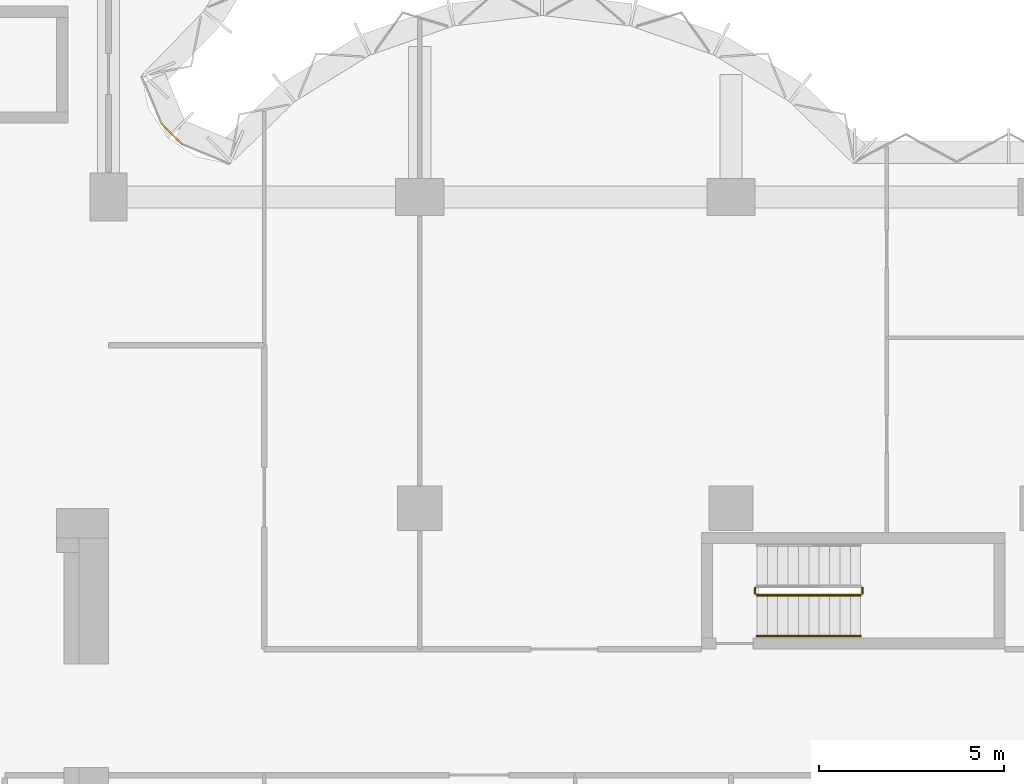
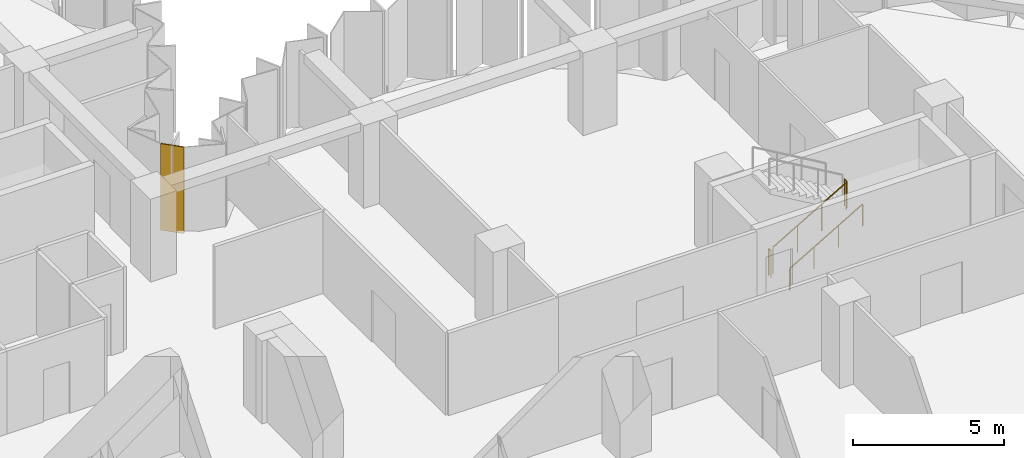
# One storey, part 17 of 18: 4 railings, 1 covering, 1 element without a shape of its own.
"""IFC4 building model written with IfcOpenShell, lengths in metres."""

from ifc_helpers import new_model, si_unit, direction, frame, origin, origin_2d, place, context, subcontext, project, spatial, polyline, circle, outline, extrude, material, layer, layer_set, type_object, element, aggregate, save


model = new_model("IFC4")

# Units and contexts
model_context = context("Model", 3, precision=1e-05, world=origin(), true_north=direction((0.0, 1.0)))
body_context = subcontext(model_context, "Body", "Model", "MODEL_VIEW")
ifc_project = project(units=[si_unit("LENGTHUNIT", "METRE"), si_unit("AREAUNIT", "SQUARE_METRE"), si_unit("VOLUMEUNIT", "CUBIC_METRE"), si_unit("PLANEANGLEUNIT", "RADIAN"), si_unit("MASSUNIT", "GRAM", prefix="KILO")], contexts=[model_context])

# Site, building, storey
site_placement = place(None, origin())
site = spatial("IfcSite", under=ifc_project, at=site_placement, CompositionType="ELEMENT")
building_placement = place(site_placement, origin())
building = spatial("IfcBuilding", under=site, at=building_placement, Name="Brevane Broadcast Tower", CompositionType="ELEMENT")
storey_placement = place(building_placement, frame((0.0, 0.0, 134.89990234375)))
storey = spatial("IfcBuildingStorey", under=building, at=storey_placement, Name="L33", CompositionType="ELEMENT", Elevation=134.89990234375)

# Railings
ifc_material_1 = material(Name="Steel S355", Category="steel")
railing_type_1 = type_object("IfcRailingType", Name="Exit stair guard", PredefinedType="GUARDRAIL", material=ifc_material_1)
railing_1_placement = place(storey_placement, frame((42.699951171875, 14.449951171875, 0.163818359375)))
element("IfcRailing", 1, at=railing_1_placement, inside=storey, type_object=railing_type_1, Name="L33 ST-4 stair guard 1", PredefinedType="GUARDRAIL", context=body_context, shape_type="SweptSolid", body=[
    extrude(circle(Radius=0.02392578125, at=origin_2d()), frame((0.0, 0.0, 1.076171875), z_axis=(0.863393664356, 0.0, 0.504530851732), x_axis=(0.0, 1.0, 0.0)), (0.0, 0.0, 1.0), 3.2431640625),
    extrude(circle(Radius=0.02099609375, at=origin_2d()), origin(), (0.0, 0.0, 1.0), 1.052001953125),
    extrude(circle(Radius=0.02099609375, at=origin_2d()), frame((0.933349609375, 0.0, 0.54541015625)), (0.0, 0.0, 1.0), 1.052001953125),
    extrude(circle(Radius=0.02099609375, at=origin_2d()), frame((1.86669921875, 0.0, 1.0908203125)), (0.0, 0.0, 1.0), 1.052001953125),
    extrude(circle(Radius=0.02099609375, at=origin_2d()), frame((2.800048828125, 0.0, 1.63623046875)), (0.0, 0.0, 1.0), 1.052001953125),
])
for number, where, name in (
    (2, (45.550048828125, 14.5, 1.800048828125), "L33 ST-4 stair guard 2"),
    (3, (42.64990234375, 14.5, 0.0), "L33 ST-4 stair guard 4"),
):
    element("IfcRailing", number, at=place(storey_placement, frame(where)), inside=storey, type_object=railing_type_1, Name=name, PredefinedType="GUARDRAIL", context=body_context, shape_type="SweptSolid", body=[
        extrude(circle(Radius=0.02392578125, at=origin_2d()), frame((0.0, 0.0, 1.076171875), z_axis=(0.0, 1.0, 0.0), x_axis=(-1.0, 0.0, 0.0)), (0.0, 0.0, 1.0), 0.14990234375),
        extrude(circle(Radius=0.02099609375, at=origin_2d()), origin(), (0.0, 0.0, 1.0), 1.052001953125),
        extrude(circle(Radius=0.02099609375, at=origin_2d()), frame((0.0, 0.14990234375, 0.0)), (0.0, 0.0, 1.0), 1.052001953125),
    ])
railing_type_2 = type_object("IfcRailingType", Name="Exit stair handrail", PredefinedType="HANDRAIL", material=ifc_material_1)
railing_2_placement = place(storey_placement, frame((42.699951171875, 13.35009765625, 0.163818359375)))
element("IfcRailing", 4, at=railing_2_placement, inside=storey, type_object=railing_type_2, Name="L33 ST-4 stair handrail 1", PredefinedType="HANDRAIL", context=body_context, shape_type="SweptSolid", body=[
    extrude(circle(Radius=0.02392578125, at=origin_2d()), frame((0.0, 0.0, 0.8759765625), z_axis=(0.863393664356, 0.0, 0.504530851732), x_axis=(0.0, 1.0, 0.0)), (0.0, 0.0, 1.0), 3.2431640625),
    extrude(circle(Radius=0.02099609375, at=origin_2d()), origin(), (0.0, 0.0, 1.0), 0.851806640625),
    extrude(circle(Radius=0.02099609375, at=origin_2d()), frame((0.933349609375, 0.0, 0.54541015625)), (0.0, 0.0, 1.0), 0.851806640625),
    extrude(circle(Radius=0.02099609375, at=origin_2d()), frame((1.86669921875, 0.0, 1.0908203125)), (0.0, 0.0, 1.0), 0.851806640625),
    extrude(circle(Radius=0.02099609375, at=origin_2d()), frame((2.800048828125, 0.0, 1.63623046875)), (0.0, 0.0, 1.0), 0.851806640625),
])

# Curtain wall, covering
ifc_material_2 = material(Name="Aluminium 6063-T6 bronze anodised", Category="aluminium")
curtain_wall_type = type_object("IfcCurtainWallType", Name="CW-1 curtain wall", PredefinedType="NOTDEFINED", material=ifc_material_2)
curtain_wall_placement = place(storey_placement, origin())
curtain_wall = element("IfcCurtainWall", 5, at=curtain_wall_placement, inside=storey, type_object=curtain_wall_type, Name="CW-1 typical tilted unit L33 inner corner", PredefinedType="NOTDEFINED")
ifc_material_3 = material(Name="Back-painted bronze glass shadow-box", Category="glass")
ifc_layer = layer(ifc_material_3, 0.0400390625)
ifc_layer_set = layer_set([ifc_layer], Name="Shadow-box panel 40")
covering_type = type_object("IfcCoveringType", Name="Shadow-box panel 40", PredefinedType="CLADDING", material=ifc_layer_set)
covering_placement = place(storey_placement, frame((0.0, 0.0, -0.14990234375)))
covering = element("IfcCovering", 6, at=covering_placement, type_object=covering_type, Name="Closure panel", PredefinedType="CLADDING", context=body_context, shape_type="SweptSolid", body=[
    extrude(outline(polyline([(27.17138671875, 26.60498046875), (27.2021484375, 26.635498046875), (26.635498046875, 27.2021484375), (26.60498046875, 27.17138671875), (27.17138671875, 26.60498046875)])), origin(), (0.0, 0.0, 1.0), 3.5),
])
aggregate(curtain_wall, [covering])

save(model, "model.ifc")
